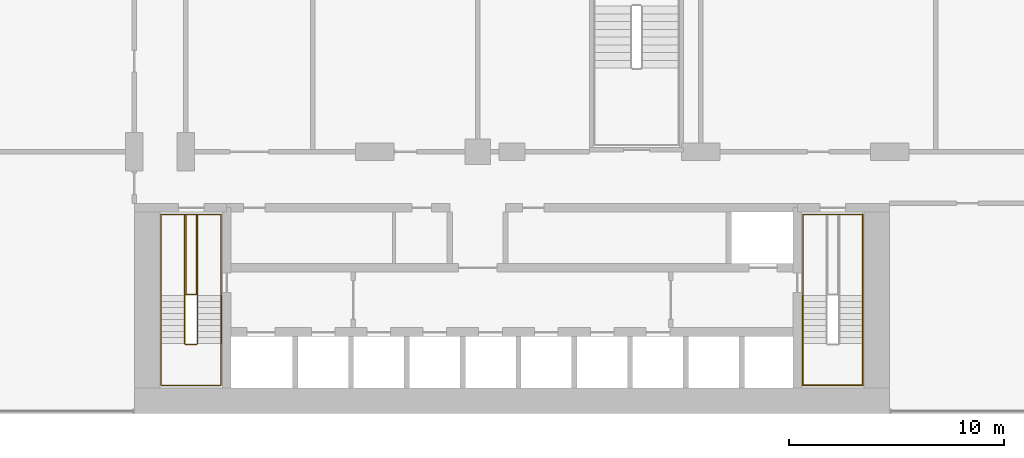
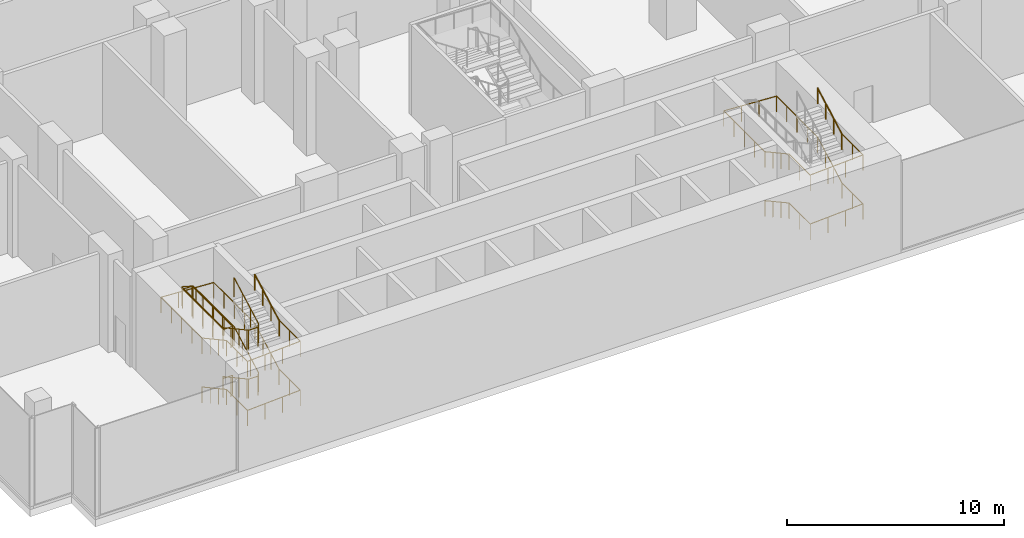
# One storey, part 25 of 30: 7 railings.
"""IFC4 building model written with IfcOpenShell, lengths in metres."""

from ifc_helpers import new_model, si_unit, direction, frame, origin, origin_2d, place, context, subcontext, project, spatial, circle, extrude, material, type_object, element, save


model = new_model("IFC4")

# Units and contexts
model_context = context("Model", 3, precision=1e-05, world=origin(), true_north=direction((0.0, 1.0)))
body_context = subcontext(model_context, "Body", "Model", "MODEL_VIEW")
ifc_project = project(units=[si_unit("LENGTHUNIT", "METRE"), si_unit("AREAUNIT", "SQUARE_METRE"), si_unit("VOLUMEUNIT", "CUBIC_METRE"), si_unit("PLANEANGLEUNIT", "RADIAN"), si_unit("MASSUNIT", "GRAM", prefix="KILO")], contexts=[model_context])

# Site, building, storey
site_placement = place(None, origin())
site = spatial("IfcSite", under=ifc_project, at=site_placement, CompositionType="ELEMENT")
building_placement = place(site_placement, origin())
building = spatial("IfcBuilding", under=site, at=building_placement, Name="Kemantara Hotel Tower", CompositionType="ELEMENT")
storey_placement = place(building_placement, frame((0.0, 0.0, 23.5)))
storey = spatial("IfcBuildingStorey", under=building, at=storey_placement, Name="L04", CompositionType="ELEMENT", Elevation=23.5)

# Railings
ifc_material = material(Name="Stainless steel balustrade", Category="steel")
railing_type_1 = type_object("IfcRailingType", Name="Stair guard 1100 mm", PredefinedType="GUARDRAIL", material=ifc_material)
railing_1_placement = place(storey_placement, frame((12.75, 5.5, 5.5)))
element("IfcRailing", 1, at=railing_1_placement, inside=storey, type_object=railing_type_1, Name="L04 ST1 stair guard 1", PredefinedType="GUARDRAIL", context=body_context, shape_type="SweptSolid", body=[
    extrude(circle(Radius=0.02392578125, at=origin_2d()), frame((0.0, 0.0, 1.076171875), z_axis=(0.0, -0.87783706319, -0.478959382924), x_axis=(1.0, 0.0, 0.0)), (0.0, 0.0, 1.0), 2.5517578125),
    extrude(circle(Radius=0.02392578125, at=origin_2d()), frame((0.0, -2.239990234375, -0.14599609375), z_axis=(-0.297155754911, -0.297155754911, -0.90741220768), x_axis=(0.707106781187, -0.707106781187, 0.0)), (0.0, 0.0, 1.0), 0.16845703125),
    extrude(circle(Radius=0.02392578125, at=origin_2d()), frame((-0.050048828125, -2.2900390625, -0.298828125), z_axis=(-1.0, 0.0, 0.0), x_axis=(0.0, -1.0, 0.0)), (0.0, 0.0, 1.0), 0.5),
    extrude(circle(Radius=0.02392578125, at=origin_2d()), frame((-0.550048828125, -2.2900390625, -0.298828125), z_axis=(-0.707106781187, 0.707106781187, 0.0), x_axis=(-0.707106781187, -0.707106781187, 0.0)), (0.0, 0.0, 1.0), 0.07080078125),
    extrude(circle(Radius=0.02392578125, at=origin_2d()), frame((-0.60009765625, -2.239990234375, -0.298828125), z_axis=(0.0, 0.87783706319, -0.478959382924), x_axis=(-1.0, 0.0, 0.0)), (0.0, 0.0, 1.0), 2.5517578125),
    extrude(circle(Radius=0.02392578125, at=origin_2d()), frame((-0.60009765625, 0.0, -1.52099609375), z_axis=(0.0, 1.0, 0.0), x_axis=(-1.0, 0.0, 0.0)), (0.0, 0.0, 1.0), 3.780029296875),
    extrude(circle(Radius=0.02392578125, at=origin_2d()), frame((-0.60009765625, 3.780029296875, -1.52099609375), z_axis=(0.963499526908, 0.0, -0.267710032776), x_axis=(0.0, 1.0, 0.0)), (0.0, 0.0, 1.0), 0.57080078125),
    extrude(circle(Radius=0.02392578125, at=origin_2d()), frame((-0.050048828125, 3.780029296875, -1.673828125), z_axis=(0.0, -1.0, 0.0), x_axis=(1.0, 0.0, 0.0)), (0.0, 0.0, 1.0), 3.72998046875),
    extrude(circle(Radius=0.02392578125, at=origin_2d()), frame((-0.050048828125, 0.050048828125, -1.673828125), z_axis=(-1.0, 0.0, 0.0), x_axis=(0.0, -1.0, 0.0)), (0.0, 0.0, 1.0), 0.5),
    extrude(circle(Radius=0.02392578125, at=origin_2d()), frame((-0.550048828125, 0.050048828125, -1.673828125), z_axis=(0.0, 1.0, 0.0), x_axis=(-1.0, 0.0, 0.0)), (0.0, 0.0, 1.0), 3.72998046875),
    extrude(circle(Radius=0.02392578125, at=origin_2d()), frame((-0.550048828125, 3.780029296875, -1.673828125), z_axis=(1.0, 0.0, 0.0), x_axis=(0.0, 1.0, 0.0)), (0.0, 0.0, 1.0), 0.550048828125),
    extrude(circle(Radius=0.02392578125, at=origin_2d()), frame((0.0, 3.780029296875, -1.673828125), z_axis=(0.0, -1.0, 0.0), x_axis=(1.0, 0.0, 0.0)), (0.0, 0.0, 1.0), 3.780029296875),
    extrude(circle(Radius=0.02392578125, at=origin_2d()), frame((0.0, 0.0, -1.673828125), z_axis=(0.0, -0.87783706319, -0.478959382924), x_axis=(1.0, 0.0, 0.0)), (0.0, 0.0, 1.0), 2.5517578125),
    extrude(circle(Radius=0.02392578125, at=origin_2d()), frame((0.0, -2.239990234375, -2.89599609375), z_axis=(-0.297155754911, -0.297155754911, -0.90741220768), x_axis=(0.707106781187, -0.707106781187, 0.0)), (0.0, 0.0, 1.0), 0.16845703125),
    extrude(circle(Radius=0.02392578125, at=origin_2d()), frame((-0.050048828125, -2.2900390625, -3.048828125), z_axis=(-1.0, 0.0, 0.0), x_axis=(0.0, -1.0, 0.0)), (0.0, 0.0, 1.0), 0.5),
    extrude(circle(Radius=0.02392578125, at=origin_2d()), frame((-0.550048828125, -2.2900390625, -3.048828125), z_axis=(-0.707106781187, 0.707106781187, 0.0), x_axis=(-0.707106781187, -0.707106781187, 0.0)), (0.0, 0.0, 1.0), 0.07080078125),
    extrude(circle(Radius=0.02392578125, at=origin_2d()), frame((-0.60009765625, -2.239990234375, -3.048828125), z_axis=(0.0, 0.87783706319, -0.478959382924), x_axis=(-1.0, 0.0, 0.0)), (0.0, 0.0, 1.0), 2.5517578125),
    extrude(circle(Radius=0.02392578125, at=origin_2d()), frame((-0.60009765625, 0.0, -4.27099609375), z_axis=(0.297155754911, 0.297155754911, -0.90741220768), x_axis=(-0.707106781187, 0.707106781187, 0.0)), (0.0, 0.0, 1.0), 0.16845703125),
    extrude(circle(Radius=0.02392578125, at=origin_2d()), frame((-0.550048828125, 0.050048828125, -4.423828125), z_axis=(1.0, 0.0, 0.0), x_axis=(0.0, 1.0, 0.0)), (0.0, 0.0, 1.0), 0.5),
    extrude(circle(Radius=0.02099609375, at=origin_2d()), origin(), (0.0, 0.0, 1.0), 1.052001953125),
    extrude(circle(Radius=0.02099609375, at=origin_2d()), frame((0.0, -0.74658203125, -0.407470703125)), (0.0, 0.0, 1.0), 1.052001953125),
    extrude(circle(Radius=0.02099609375, at=origin_2d()), frame((0.0, -1.493408203125, -0.814697265625)), (0.0, 0.0, 1.0), 1.052001953125),
    extrude(circle(Radius=0.02099609375, at=origin_2d()), frame((0.0, -2.239990234375, -1.22216796875)), (0.0, 0.0, 1.0), 1.052001953125),
    extrude(circle(Radius=0.02099609375, at=origin_2d()), frame((-0.050048828125, -2.2900390625, -1.375)), (0.0, 0.0, 1.0), 1.052001953125),
    extrude(circle(Radius=0.02099609375, at=origin_2d()), frame((-0.550048828125, -2.2900390625, -1.375)), (0.0, 0.0, 1.0), 1.052001953125),
    extrude(circle(Radius=0.02099609375, at=origin_2d()), frame((-0.60009765625, -2.239990234375, -1.375)), (0.0, 0.0, 1.0), 1.052001953125),
    extrude(circle(Radius=0.02099609375, at=origin_2d()), frame((-0.60009765625, -1.493408203125, -1.782470703125)), (0.0, 0.0, 1.0), 1.052001953125),
    extrude(circle(Radius=0.02099609375, at=origin_2d()), frame((-0.60009765625, -0.74658203125, -2.189697265625)), (0.0, 0.0, 1.0), 1.052001953125),
    extrude(circle(Radius=0.02099609375, at=origin_2d()), frame((-0.60009765625, 0.0, -2.59716796875)), (0.0, 0.0, 1.0), 1.052001953125),
    extrude(circle(Radius=0.02099609375, at=origin_2d()), frame((-0.60009765625, 0.945068359375, -2.59716796875)), (0.0, 0.0, 1.0), 1.052001953125),
    extrude(circle(Radius=0.02099609375, at=origin_2d()), frame((-0.60009765625, 1.89013671875, -2.59716796875)), (0.0, 0.0, 1.0), 1.052001953125),
    extrude(circle(Radius=0.02099609375, at=origin_2d()), frame((-0.60009765625, 2.8349609375, -2.59716796875)), (0.0, 0.0, 1.0), 1.052001953125),
    extrude(circle(Radius=0.02099609375, at=origin_2d()), frame((-0.60009765625, 3.780029296875, -2.59716796875)), (0.0, 0.0, 1.0), 1.052001953125),
    extrude(circle(Radius=0.02099609375, at=origin_2d()), frame((-0.050048828125, 3.780029296875, -2.75)), (0.0, 0.0, 1.0), 1.052001953125),
    extrude(circle(Radius=0.02099609375, at=origin_2d()), frame((-0.050048828125, 2.84765625, -2.75)), (0.0, 0.0, 1.0), 1.052001953125),
    extrude(circle(Radius=0.02099609375, at=origin_2d()), frame((-0.050048828125, 1.9150390625, -2.75)), (0.0, 0.0, 1.0), 1.052001953125),
    extrude(circle(Radius=0.02099609375, at=origin_2d()), frame((-0.050048828125, 0.982421875, -2.75)), (0.0, 0.0, 1.0), 1.052001953125),
    extrude(circle(Radius=0.02099609375, at=origin_2d()), frame((-0.050048828125, 0.050048828125, -2.75)), (0.0, 0.0, 1.0), 1.052001953125),
    extrude(circle(Radius=0.02099609375, at=origin_2d()), frame((-0.550048828125, 0.050048828125, -2.75)), (0.0, 0.0, 1.0), 1.052001953125),
    extrude(circle(Radius=0.02099609375, at=origin_2d()), frame((-0.550048828125, 0.982421875, -2.75)), (0.0, 0.0, 1.0), 1.052001953125),
    extrude(circle(Radius=0.02099609375, at=origin_2d()), frame((-0.550048828125, 1.9150390625, -2.75)), (0.0, 0.0, 1.0), 1.052001953125),
    extrude(circle(Radius=0.02099609375, at=origin_2d()), frame((-0.550048828125, 2.84765625, -2.75)), (0.0, 0.0, 1.0), 1.052001953125),
    extrude(circle(Radius=0.02099609375, at=origin_2d()), frame((-0.550048828125, 3.780029296875, -2.75)), (0.0, 0.0, 1.0), 1.052001953125),
    extrude(circle(Radius=0.02099609375, at=origin_2d()), frame((0.0, 3.780029296875, -2.75)), (0.0, 0.0, 1.0), 1.052001953125),
    extrude(circle(Radius=0.02099609375, at=origin_2d()), frame((0.0, 2.8349609375, -2.75)), (0.0, 0.0, 1.0), 1.052001953125),
    extrude(circle(Radius=0.02099609375, at=origin_2d()), frame((0.0, 1.89013671875, -2.75)), (0.0, 0.0, 1.0), 1.052001953125),
    extrude(circle(Radius=0.02099609375, at=origin_2d()), frame((0.0, 0.945068359375, -2.75)), (0.0, 0.0, 1.0), 1.052001953125),
    extrude(circle(Radius=0.02099609375, at=origin_2d()), frame((0.0, 0.0, -2.75)), (0.0, 0.0, 1.0), 1.052001953125),
    extrude(circle(Radius=0.02099609375, at=origin_2d()), frame((0.0, -0.74658203125, -3.157470703125)), (0.0, 0.0, 1.0), 1.052001953125),
    extrude(circle(Radius=0.02099609375, at=origin_2d()), frame((0.0, -1.493408203125, -3.564697265625)), (0.0, 0.0, 1.0), 1.052001953125),
    extrude(circle(Radius=0.02099609375, at=origin_2d()), frame((0.0, -2.239990234375, -3.97216796875)), (0.0, 0.0, 1.0), 1.052001953125),
    extrude(circle(Radius=0.02099609375, at=origin_2d()), frame((-0.050048828125, -2.2900390625, -4.125)), (0.0, 0.0, 1.0), 1.052001953125),
    extrude(circle(Radius=0.02099609375, at=origin_2d()), frame((-0.550048828125, -2.2900390625, -4.125)), (0.0, 0.0, 1.0), 1.052001953125),
    extrude(circle(Radius=0.02099609375, at=origin_2d()), frame((-0.60009765625, -2.239990234375, -4.125)), (0.0, 0.0, 1.0), 1.052001953125),
    extrude(circle(Radius=0.02099609375, at=origin_2d()), frame((-0.60009765625, -1.493408203125, -4.532470703125)), (0.0, 0.0, 1.0), 1.052001953125),
    extrude(circle(Radius=0.02099609375, at=origin_2d()), frame((-0.60009765625, -0.74658203125, -4.939697265625)), (0.0, 0.0, 1.0), 1.052001953125),
    extrude(circle(Radius=0.02099609375, at=origin_2d()), frame((-0.60009765625, 0.0, -5.34716796875)), (0.0, 0.0, 1.0), 1.052001953125),
    extrude(circle(Radius=0.02099609375, at=origin_2d()), frame((-0.550048828125, 0.050048828125, -5.5)), (0.0, 0.0, 1.0), 1.052001953125),
    extrude(circle(Radius=0.02099609375, at=origin_2d()), frame((-0.050048828125, 0.050048828125, -5.5)), (0.0, 0.0, 1.0), 1.052001953125),
])
railing_type_2 = type_object("IfcRailingType", Name="Stair handrail 900 mm", PredefinedType="HANDRAIL", material=ifc_material)
railing_2_placement = place(storey_placement, frame((11.050048828125, 5.5, 0.15283203125)))
element("IfcRailing", 2, at=railing_2_placement, inside=storey, type_object=railing_type_2, Name="L04 ST1 stair handrail 1", PredefinedType="HANDRAIL", context=body_context, shape_type="SweptSolid", body=[
    extrude(circle(Radius=0.02392578125, at=origin_2d()), frame((0.0, 0.0, 0.8759765625), z_axis=(0.0, -0.87783706319, 0.478959382924), x_axis=(1.0, 0.0, 0.0)), (0.0, 0.0, 1.0), 2.5517578125),
    extrude(circle(Radius=0.02392578125, at=origin_2d()), frame((0.0, -2.239990234375, 2.09814453125), z_axis=(0.0, -1.0, 0.0), x_axis=(1.0, 0.0, 0.0)), (0.0, 0.0, 1.0), 1.93994140625),
    extrude(circle(Radius=0.02392578125, at=origin_2d()), frame((0.0, -4.179931640625, 2.09814453125), z_axis=(0.998513727286, 0.0, 0.054500792857), x_axis=(0.0, 1.0, 0.0)), (0.0, 0.0, 1.0), 2.80419921875),
    extrude(circle(Radius=0.02392578125, at=origin_2d()), frame((2.800048828125, -4.179931640625, 2.2509765625), z_axis=(0.0, 1.0, 0.0), x_axis=(-1.0, 0.0, 0.0)), (0.0, 0.0, 1.0), 1.93994140625),
    extrude(circle(Radius=0.02392578125, at=origin_2d()), frame((2.800048828125, -2.239990234375, 2.2509765625), z_axis=(0.0, 0.87783706319, 0.478959382924), x_axis=(-1.0, 0.0, 0.0)), (0.0, 0.0, 1.0), 2.5517578125),
    extrude(circle(Radius=0.02099609375, at=origin_2d()), origin(), (0.0, 0.0, 1.0), 0.851806640625),
    extrude(circle(Radius=0.02099609375, at=origin_2d()), frame((0.0, -0.74658203125, 0.407470703125)), (0.0, 0.0, 1.0), 0.851806640625),
    extrude(circle(Radius=0.02099609375, at=origin_2d()), frame((0.0, -1.493408203125, 0.814697265625)), (0.0, 0.0, 1.0), 0.851806640625),
    extrude(circle(Radius=0.02099609375, at=origin_2d()), frame((0.0, -2.239990234375, 1.22216796875)), (0.0, 0.0, 1.0), 0.851806640625),
    extrude(circle(Radius=0.02099609375, at=origin_2d()), frame((0.0, -3.2099609375, 1.22216796875)), (0.0, 0.0, 1.0), 0.851806640625),
    extrude(circle(Radius=0.02099609375, at=origin_2d()), frame((0.0, -4.179931640625, 1.22216796875)), (0.0, 0.0, 1.0), 0.851806640625),
    extrude(circle(Radius=0.02099609375, at=origin_2d()), frame((0.933349609375, -4.179931640625, 1.273193359375)), (0.0, 0.0, 1.0), 0.851806640625),
    extrude(circle(Radius=0.02099609375, at=origin_2d()), frame((1.86669921875, -4.179931640625, 1.323974609375)), (0.0, 0.0, 1.0), 0.851806640625),
    extrude(circle(Radius=0.02099609375, at=origin_2d()), frame((2.800048828125, -4.179931640625, 1.375)), (0.0, 0.0, 1.0), 0.851806640625),
    extrude(circle(Radius=0.02099609375, at=origin_2d()), frame((2.800048828125, -3.2099609375, 1.375)), (0.0, 0.0, 1.0), 0.851806640625),
    extrude(circle(Radius=0.02099609375, at=origin_2d()), frame((2.800048828125, -2.239990234375, 1.375)), (0.0, 0.0, 1.0), 0.851806640625),
    extrude(circle(Radius=0.02099609375, at=origin_2d()), frame((2.800048828125, -1.493408203125, 1.782470703125)), (0.0, 0.0, 1.0), 0.851806640625),
    extrude(circle(Radius=0.02099609375, at=origin_2d()), frame((2.800048828125, -0.74658203125, 2.189697265625)), (0.0, 0.0, 1.0), 0.851806640625),
    extrude(circle(Radius=0.02099609375, at=origin_2d()), frame((2.800048828125, 0.0, 2.59716796875)), (0.0, 0.0, 1.0), 0.851806640625),
])
railing_3_placement = place(storey_placement, frame((13.85009765625, 5.5, 2.75)))
element("IfcRailing", 3, at=railing_3_placement, inside=storey, type_object=railing_type_2, Name="L04 ST1 stair handrail 2", PredefinedType="HANDRAIL", context=body_context, shape_type="SweptSolid", body=[
    extrude(circle(Radius=0.02392578125, at=origin_2d()), frame((0.0, 0.0, 0.8759765625), z_axis=(0.0, 1.0, 0.0), x_axis=(-1.0, 0.0, 0.0)), (0.0, 0.0, 1.0), 3.780029296875),
    extrude(circle(Radius=0.02392578125, at=origin_2d()), frame((0.0, 3.780029296875, 0.8759765625), z_axis=(-0.998513727286, 0.0, 0.054500792857), x_axis=(0.0, -1.0, 0.0)), (0.0, 0.0, 1.0), 2.80419921875),
    extrude(circle(Radius=0.02392578125, at=origin_2d()), frame((-2.800048828125, 3.780029296875, 1.02880859375), z_axis=(0.0, -1.0, 0.0), x_axis=(1.0, 0.0, 0.0)), (0.0, 0.0, 1.0), 3.780029296875),
    extrude(circle(Radius=0.02392578125, at=origin_2d()), frame((-2.800048828125, 0.0, 1.02880859375), z_axis=(0.0, -0.87783706319, 0.478959382924), x_axis=(1.0, 0.0, 0.0)), (0.0, 0.0, 1.0), 2.5517578125),
    extrude(circle(Radius=0.02392578125, at=origin_2d()), frame((-2.800048828125, -2.239990234375, 2.2509765625), z_axis=(0.0, -1.0, 0.0), x_axis=(1.0, 0.0, 0.0)), (0.0, 0.0, 1.0), 1.93994140625),
    extrude(circle(Radius=0.02392578125, at=origin_2d()), frame((-2.800048828125, -4.179931640625, 2.2509765625), z_axis=(0.998513727286, 0.0, 0.054500792857), x_axis=(0.0, 1.0, 0.0)), (0.0, 0.0, 1.0), 2.80419921875),
    extrude(circle(Radius=0.02392578125, at=origin_2d()), frame((0.0, -4.179931640625, 2.40380859375), z_axis=(0.0, 1.0, 0.0), x_axis=(-1.0, 0.0, 0.0)), (0.0, 0.0, 1.0), 1.93994140625),
    extrude(circle(Radius=0.02099609375, at=origin_2d()), origin(), (0.0, 0.0, 1.0), 0.851806640625),
    extrude(circle(Radius=0.02099609375, at=origin_2d()), frame((0.0, 0.945068359375, 0.0)), (0.0, 0.0, 1.0), 0.851806640625),
    extrude(circle(Radius=0.02099609375, at=origin_2d()), frame((0.0, 1.89013671875, 0.0)), (0.0, 0.0, 1.0), 0.851806640625),
    extrude(circle(Radius=0.02099609375, at=origin_2d()), frame((0.0, 2.8349609375, 0.0)), (0.0, 0.0, 1.0), 0.851806640625),
    extrude(circle(Radius=0.02099609375, at=origin_2d()), frame((0.0, 3.780029296875, 0.0)), (0.0, 0.0, 1.0), 0.851806640625),
    extrude(circle(Radius=0.02099609375, at=origin_2d()), frame((-0.933349609375, 3.780029296875, 0.051025390625)), (0.0, 0.0, 1.0), 0.851806640625),
    extrude(circle(Radius=0.02099609375, at=origin_2d()), frame((-1.86669921875, 3.780029296875, 0.101806640625)), (0.0, 0.0, 1.0), 0.851806640625),
    extrude(circle(Radius=0.02099609375, at=origin_2d()), frame((-2.800048828125, 3.780029296875, 0.15283203125)), (0.0, 0.0, 1.0), 0.851806640625),
    extrude(circle(Radius=0.02099609375, at=origin_2d()), frame((-2.800048828125, 2.8349609375, 0.15283203125)), (0.0, 0.0, 1.0), 0.851806640625),
    extrude(circle(Radius=0.02099609375, at=origin_2d()), frame((-2.800048828125, 1.89013671875, 0.15283203125)), (0.0, 0.0, 1.0), 0.851806640625),
    extrude(circle(Radius=0.02099609375, at=origin_2d()), frame((-2.800048828125, 0.945068359375, 0.15283203125)), (0.0, 0.0, 1.0), 0.851806640625),
    extrude(circle(Radius=0.02099609375, at=origin_2d()), frame((-2.800048828125, 0.0, 0.15283203125)), (0.0, 0.0, 1.0), 0.851806640625),
    extrude(circle(Radius=0.02099609375, at=origin_2d()), frame((-2.800048828125, -0.74658203125, 0.560302734375)), (0.0, 0.0, 1.0), 0.851806640625),
    extrude(circle(Radius=0.02099609375, at=origin_2d()), frame((-2.800048828125, -1.493408203125, 0.967529296875)), (0.0, 0.0, 1.0), 0.851806640625),
    extrude(circle(Radius=0.02099609375, at=origin_2d()), frame((-2.800048828125, -2.239990234375, 1.375)), (0.0, 0.0, 1.0), 0.851806640625),
    extrude(circle(Radius=0.02099609375, at=origin_2d()), frame((-2.800048828125, -3.2099609375, 1.375)), (0.0, 0.0, 1.0), 0.851806640625),
    extrude(circle(Radius=0.02099609375, at=origin_2d()), frame((-2.800048828125, -4.179931640625, 1.375)), (0.0, 0.0, 1.0), 0.851806640625),
    extrude(circle(Radius=0.02099609375, at=origin_2d()), frame((-1.86669921875, -4.179931640625, 1.426025390625)), (0.0, 0.0, 1.0), 0.851806640625),
    extrude(circle(Radius=0.02099609375, at=origin_2d()), frame((-0.933349609375, -4.179931640625, 1.476806640625)), (0.0, 0.0, 1.0), 0.851806640625),
    extrude(circle(Radius=0.02099609375, at=origin_2d()), frame((0.0, -4.179931640625, 1.52783203125)), (0.0, 0.0, 1.0), 0.851806640625),
    extrude(circle(Radius=0.02099609375, at=origin_2d()), frame((0.0, -3.2099609375, 1.52783203125)), (0.0, 0.0, 1.0), 0.851806640625),
    extrude(circle(Radius=0.02099609375, at=origin_2d()), frame((0.0, -2.239990234375, 1.52783203125)), (0.0, 0.0, 1.0), 0.851806640625),
])
railing_4_placement = place(storey_placement, frame((13.85009765625, 3.260009765625, 4.27783203125)))
element("IfcRailing", 4, at=railing_4_placement, inside=storey, type_object=railing_type_2, Name="L04 ST1 stair handrail 3", PredefinedType="HANDRAIL", context=body_context, shape_type="SweptSolid", body=[
    extrude(circle(Radius=0.02392578125, at=origin_2d()), frame((0.0, 0.0, 0.8759765625), z_axis=(0.0, 0.87783706319, 0.478959382924), x_axis=(-1.0, 0.0, 0.0)), (0.0, 0.0, 1.0), 2.5517578125),
    extrude(circle(Radius=0.02099609375, at=origin_2d()), origin(), (0.0, 0.0, 1.0), 0.851806640625),
    extrude(circle(Radius=0.02099609375, at=origin_2d()), frame((0.0, 0.74658203125, 0.407470703125)), (0.0, 0.0, 1.0), 0.851806640625),
    extrude(circle(Radius=0.02099609375, at=origin_2d()), frame((0.0, 1.493408203125, 0.814697265625)), (0.0, 0.0, 1.0), 0.851806640625),
    extrude(circle(Radius=0.02099609375, at=origin_2d()), frame((0.0, 2.239990234375, 1.22216796875)), (0.0, 0.0, 1.0), 0.851806640625),
])
railing_5_placement = place(storey_placement, frame((40.949951171875, 5.5, 0.15283203125)))
element("IfcRailing", 5, at=railing_5_placement, inside=storey, type_object=railing_type_2, Name="L04 ST2 stair handrail 1", PredefinedType="HANDRAIL", context=body_context, shape_type="SweptSolid", body=[
    extrude(circle(Radius=0.02392578125, at=origin_2d()), frame((0.0, 0.0, 0.8759765625), z_axis=(0.0, -0.87783706319, 0.478959382924), x_axis=(1.0, 0.0, 0.0)), (0.0, 0.0, 1.0), 2.5517578125),
    extrude(circle(Radius=0.02392578125, at=origin_2d()), frame((0.0, -2.239990234375, 2.09814453125), z_axis=(0.0, -1.0, 0.0), x_axis=(1.0, 0.0, 0.0)), (0.0, 0.0, 1.0), 1.93994140625),
    extrude(circle(Radius=0.02392578125, at=origin_2d()), frame((0.0, -4.179931640625, 2.09814453125), z_axis=(0.998513727286, 0.0, 0.054500792857), x_axis=(0.0, 1.0, 0.0)), (0.0, 0.0, 1.0), 2.80419921875),
    extrude(circle(Radius=0.02392578125, at=origin_2d()), frame((2.800048828125, -4.179931640625, 2.2509765625), z_axis=(0.0, 1.0, 0.0), x_axis=(-1.0, 0.0, 0.0)), (0.0, 0.0, 1.0), 1.93994140625),
    extrude(circle(Radius=0.02392578125, at=origin_2d()), frame((2.800048828125, -2.239990234375, 2.2509765625), z_axis=(0.0, 0.87783706319, 0.478959382924), x_axis=(-1.0, 0.0, 0.0)), (0.0, 0.0, 1.0), 2.5517578125),
    extrude(circle(Radius=0.02392578125, at=origin_2d()), frame((2.800048828125, 0.0, 3.47314453125), z_axis=(0.0, 1.0, 0.0), x_axis=(-1.0, 0.0, 0.0)), (0.0, 0.0, 1.0), 3.780029296875),
    extrude(circle(Radius=0.02099609375, at=origin_2d()), origin(), (0.0, 0.0, 1.0), 0.851806640625),
    extrude(circle(Radius=0.02099609375, at=origin_2d()), frame((0.0, -0.74658203125, 0.407470703125)), (0.0, 0.0, 1.0), 0.851806640625),
    extrude(circle(Radius=0.02099609375, at=origin_2d()), frame((0.0, -1.493408203125, 0.814697265625)), (0.0, 0.0, 1.0), 0.851806640625),
    extrude(circle(Radius=0.02099609375, at=origin_2d()), frame((0.0, -2.239990234375, 1.22216796875)), (0.0, 0.0, 1.0), 0.851806640625),
    extrude(circle(Radius=0.02099609375, at=origin_2d()), frame((0.0, -3.2099609375, 1.22216796875)), (0.0, 0.0, 1.0), 0.851806640625),
    extrude(circle(Radius=0.02099609375, at=origin_2d()), frame((0.0, -4.179931640625, 1.22216796875)), (0.0, 0.0, 1.0), 0.851806640625),
    extrude(circle(Radius=0.02099609375, at=origin_2d()), frame((0.933349609375, -4.179931640625, 1.273193359375)), (0.0, 0.0, 1.0), 0.851806640625),
    extrude(circle(Radius=0.02099609375, at=origin_2d()), frame((1.86669921875, -4.179931640625, 1.323974609375)), (0.0, 0.0, 1.0), 0.851806640625),
    extrude(circle(Radius=0.02099609375, at=origin_2d()), frame((2.800048828125, -4.179931640625, 1.375)), (0.0, 0.0, 1.0), 0.851806640625),
    extrude(circle(Radius=0.02099609375, at=origin_2d()), frame((2.800048828125, -3.2099609375, 1.375)), (0.0, 0.0, 1.0), 0.851806640625),
    extrude(circle(Radius=0.02099609375, at=origin_2d()), frame((2.800048828125, -2.239990234375, 1.375)), (0.0, 0.0, 1.0), 0.851806640625),
    extrude(circle(Radius=0.02099609375, at=origin_2d()), frame((2.800048828125, -1.493408203125, 1.782470703125)), (0.0, 0.0, 1.0), 0.851806640625),
    extrude(circle(Radius=0.02099609375, at=origin_2d()), frame((2.800048828125, -0.74658203125, 2.189697265625)), (0.0, 0.0, 1.0), 0.851806640625),
    extrude(circle(Radius=0.02099609375, at=origin_2d()), frame((2.800048828125, 0.0, 2.59716796875)), (0.0, 0.0, 1.0), 0.851806640625),
    extrude(circle(Radius=0.02099609375, at=origin_2d()), frame((2.800048828125, 0.945068359375, 2.59716796875)), (0.0, 0.0, 1.0), 0.851806640625),
    extrude(circle(Radius=0.02099609375, at=origin_2d()), frame((2.800048828125, 1.89013671875, 2.59716796875)), (0.0, 0.0, 1.0), 0.851806640625),
    extrude(circle(Radius=0.02099609375, at=origin_2d()), frame((2.800048828125, 2.8349609375, 2.59716796875)), (0.0, 0.0, 1.0), 0.851806640625),
    extrude(circle(Radius=0.02099609375, at=origin_2d()), frame((2.800048828125, 3.780029296875, 2.59716796875)), (0.0, 0.0, 1.0), 0.851806640625),
])
railing_6_placement = place(storey_placement, frame((43.75, 9.280029296875, 2.75)))
element("IfcRailing", 6, at=railing_6_placement, inside=storey, type_object=railing_type_2, Name="L04 ST2 stair handrail 2", PredefinedType="HANDRAIL", context=body_context, shape_type="SweptSolid", body=[
    extrude(circle(Radius=0.02392578125, at=origin_2d()), frame((0.0, 0.0, 0.8759765625), z_axis=(-0.998513727286, 0.0, 0.054500792857), x_axis=(0.0, -1.0, 0.0)), (0.0, 0.0, 1.0), 2.80419921875),
    extrude(circle(Radius=0.02392578125, at=origin_2d()), frame((-2.800048828125, 0.0, 1.02880859375), z_axis=(0.0, -1.0, 0.0), x_axis=(1.0, 0.0, 0.0)), (0.0, 0.0, 1.0), 3.780029296875),
    extrude(circle(Radius=0.02392578125, at=origin_2d()), frame((-2.800048828125, -3.780029296875, 1.02880859375), z_axis=(0.0, -0.87783706319, 0.478959382924), x_axis=(1.0, 0.0, 0.0)), (0.0, 0.0, 1.0), 2.5517578125),
    extrude(circle(Radius=0.02392578125, at=origin_2d()), frame((-2.800048828125, -6.02001953125, 2.2509765625), z_axis=(0.0, -1.0, 0.0), x_axis=(1.0, 0.0, 0.0)), (0.0, 0.0, 1.0), 1.93994140625),
    extrude(circle(Radius=0.02392578125, at=origin_2d()), frame((-2.800048828125, -7.9599609375, 2.2509765625), z_axis=(0.998513727286, 0.0, 0.054500792857), x_axis=(0.0, 1.0, 0.0)), (0.0, 0.0, 1.0), 2.80419921875),
    extrude(circle(Radius=0.02392578125, at=origin_2d()), frame((0.0, -7.9599609375, 2.40380859375), z_axis=(0.0, 1.0, 0.0), x_axis=(-1.0, 0.0, 0.0)), (0.0, 0.0, 1.0), 1.93994140625),
    extrude(circle(Radius=0.02099609375, at=origin_2d()), origin(), (0.0, 0.0, 1.0), 0.851806640625),
    extrude(circle(Radius=0.02099609375, at=origin_2d()), frame((-0.933349609375, 0.0, 0.051025390625)), (0.0, 0.0, 1.0), 0.851806640625),
    extrude(circle(Radius=0.02099609375, at=origin_2d()), frame((-1.86669921875, 0.0, 0.101806640625)), (0.0, 0.0, 1.0), 0.851806640625),
    extrude(circle(Radius=0.02099609375, at=origin_2d()), frame((-2.800048828125, 0.0, 0.15283203125)), (0.0, 0.0, 1.0), 0.851806640625),
    extrude(circle(Radius=0.02099609375, at=origin_2d()), frame((-2.800048828125, -0.945068359375, 0.15283203125)), (0.0, 0.0, 1.0), 0.851806640625),
    extrude(circle(Radius=0.02099609375, at=origin_2d()), frame((-2.800048828125, -1.89013671875, 0.15283203125)), (0.0, 0.0, 1.0), 0.851806640625),
    extrude(circle(Radius=0.02099609375, at=origin_2d()), frame((-2.800048828125, -2.8349609375, 0.15283203125)), (0.0, 0.0, 1.0), 0.851806640625),
    extrude(circle(Radius=0.02099609375, at=origin_2d()), frame((-2.800048828125, -3.780029296875, 0.15283203125)), (0.0, 0.0, 1.0), 0.851806640625),
    extrude(circle(Radius=0.02099609375, at=origin_2d()), frame((-2.800048828125, -4.526611328125, 0.560302734375)), (0.0, 0.0, 1.0), 0.851806640625),
    extrude(circle(Radius=0.02099609375, at=origin_2d()), frame((-2.800048828125, -5.2734375, 0.967529296875)), (0.0, 0.0, 1.0), 0.851806640625),
    extrude(circle(Radius=0.02099609375, at=origin_2d()), frame((-2.800048828125, -6.02001953125, 1.375)), (0.0, 0.0, 1.0), 0.851806640625),
    extrude(circle(Radius=0.02099609375, at=origin_2d()), frame((-2.800048828125, -6.989990234375, 1.375)), (0.0, 0.0, 1.0), 0.851806640625),
    extrude(circle(Radius=0.02099609375, at=origin_2d()), frame((-2.800048828125, -7.9599609375, 1.375)), (0.0, 0.0, 1.0), 0.851806640625),
    extrude(circle(Radius=0.02099609375, at=origin_2d()), frame((-1.86669921875, -7.9599609375, 1.426025390625)), (0.0, 0.0, 1.0), 0.851806640625),
    extrude(circle(Radius=0.02099609375, at=origin_2d()), frame((-0.933349609375, -7.9599609375, 1.476806640625)), (0.0, 0.0, 1.0), 0.851806640625),
    extrude(circle(Radius=0.02099609375, at=origin_2d()), frame((0.0, -7.9599609375, 1.52783203125)), (0.0, 0.0, 1.0), 0.851806640625),
    extrude(circle(Radius=0.02099609375, at=origin_2d()), frame((0.0, -6.989990234375, 1.52783203125)), (0.0, 0.0, 1.0), 0.851806640625),
    extrude(circle(Radius=0.02099609375, at=origin_2d()), frame((0.0, -6.02001953125, 1.52783203125)), (0.0, 0.0, 1.0), 0.851806640625),
])
railing_7_placement = place(storey_placement, frame((43.75, 3.260009765625, 4.27783203125)))
element("IfcRailing", 7, at=railing_7_placement, inside=storey, type_object=railing_type_2, Name="L04 ST2 stair handrail 3", PredefinedType="HANDRAIL", context=body_context, shape_type="SweptSolid", body=[
    extrude(circle(Radius=0.02392578125, at=origin_2d()), frame((0.0, 0.0, 0.8759765625), z_axis=(0.0, 0.87783706319, 0.478959382924), x_axis=(-1.0, 0.0, 0.0)), (0.0, 0.0, 1.0), 2.5517578125),
    extrude(circle(Radius=0.02099609375, at=origin_2d()), origin(), (0.0, 0.0, 1.0), 0.851806640625),
    extrude(circle(Radius=0.02099609375, at=origin_2d()), frame((0.0, 0.74658203125, 0.407470703125)), (0.0, 0.0, 1.0), 0.851806640625),
    extrude(circle(Radius=0.02099609375, at=origin_2d()), frame((0.0, 1.493408203125, 0.814697265625)), (0.0, 0.0, 1.0), 0.851806640625),
    extrude(circle(Radius=0.02099609375, at=origin_2d()), frame((0.0, 2.239990234375, 1.22216796875)), (0.0, 0.0, 1.0), 0.851806640625),
])

save(model, "model.ifc")
